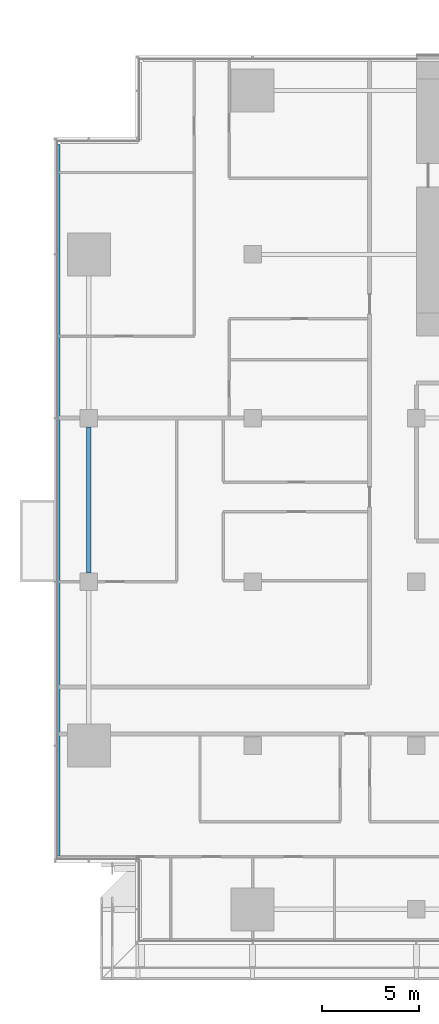
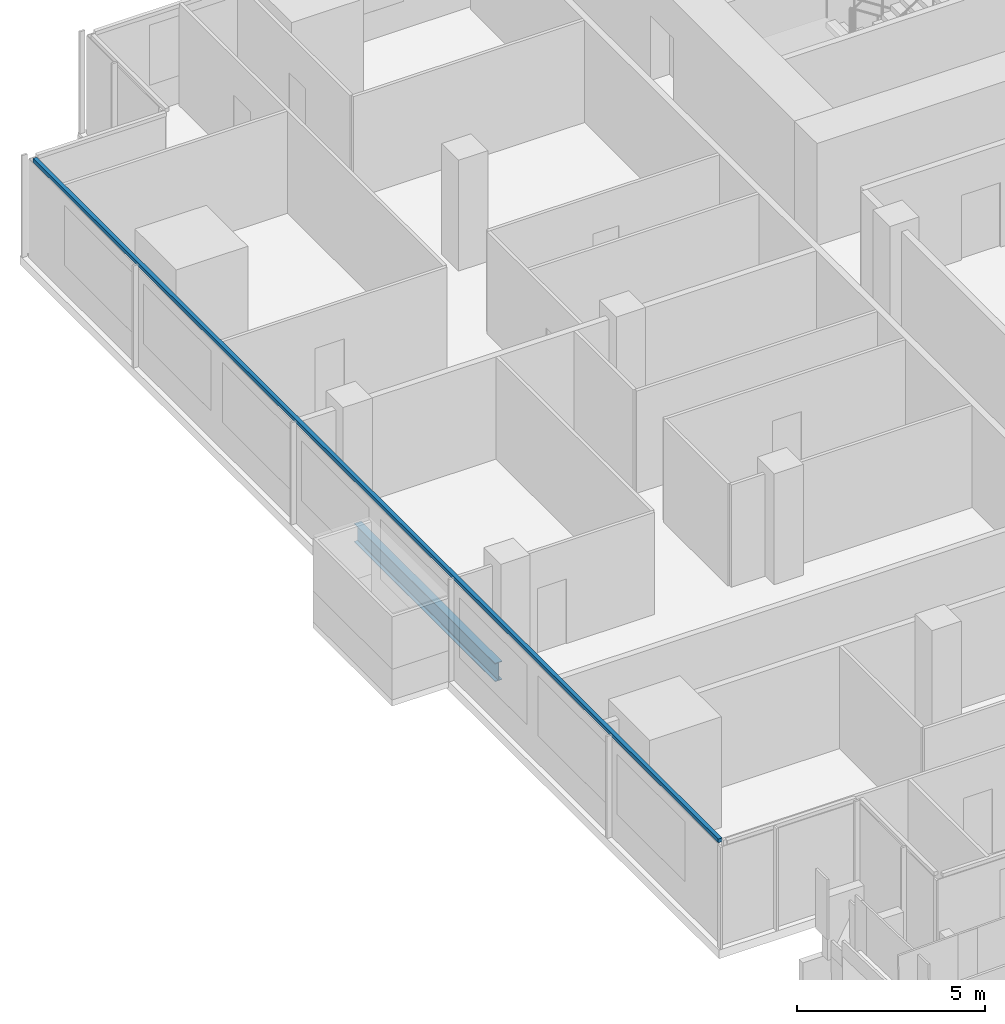
# One storey, part 3 of 29: 1 beam, 1 member, 1 element without a shape of its own.
"""IFC4 building model written with IfcOpenShell, lengths in metres."""

import ifcopenshell
import ifcopenshell.guid

model = None  # the IFC model being written
_history = None  # IfcOwnerHistory: only IFC2X3 demands one
_inside = {}  # id of a spatial element -> (the spatial element, [elements in it])
_under = {}  # id of a project, library or spatial element -> (it, [spatial elements below it])
_declared = {}  # id of a project -> (the project, [libraries it declares])
_typed = {}  # id of a type object -> (the type object, [elements of that type])
_made_of = {}  # id of a material, layer set ... -> (it, [elements and type objects made of it])


def new_model(schema):
    """Start an empty IFC model of exactly this schema.

    Asked for "IFC4X3", IfcOpenShell would pick the latest addendum, in which some entities
    have other attributes; the version numbers below select the first issue.
    IFC2X3 requires an IfcOwnerHistory on every rooted entity: one is made here for all.
    """
    global model, _history
    if schema == "IFC4X3":
        model = ifcopenshell.file(schema_version=(4, 3, 0, 0))
    else:
        model = ifcopenshell.file(schema=schema)
    _inside.clear()
    _under.clear()
    _declared.clear()
    _typed.clear()
    _made_of.clear()
    _history = None
    if model.schema == "IFC2X3":
        org = make("IfcOrganization", Name="unknown")
        user = make(
            "IfcPersonAndOrganization",
            ThePerson=make("IfcPerson", FamilyName="unknown"),
            TheOrganization=org,
        )
        app = make(
            "IfcApplication",
            ApplicationDeveloper=org,
            Version="unknown",
            ApplicationFullName="unknown",
            ApplicationIdentifier="unknown",
        )
        _history = make(
            "IfcOwnerHistory",
            OwningUser=user,
            OwningApplication=app,
            ChangeAction="ADDED",
            CreationDate=0,
        )
    return model


def make(cls, **values):
    """One entity of the class cls with the attributes given. An attribute that is None is left unset."""
    return model.create_entity(
        cls, **{name: value for name, value in values.items() if value is not None}
    )


def rooted(cls, **values):
    """An entity with a GlobalId (a new one), such as an element, a storey or a relation."""
    return make(cls, GlobalId=ifcopenshell.guid.new(), OwnerHistory=_history, **values)


def si_unit(unit_type, name, prefix=None):
    """IfcSIUnit, for example si_unit("LENGTHUNIT", "METRE", prefix="MILLI")."""
    return make("IfcSIUnit", UnitType=unit_type, Prefix=prefix, Name=name)


def assignment(units):
    """IfcUnitAssignment: the units of a project."""
    return None if units is None else make("IfcUnitAssignment", Units=units)


def point(xyz):
    """IfcCartesianPoint."""
    return None if xyz is None else make("IfcCartesianPoint", Coordinates=xyz)


def direction(xyz):
    """IfcDirection."""
    return None if xyz is None else make("IfcDirection", DirectionRatios=xyz)


def frame(location, z_axis=None, x_axis=None):
    """IfcAxis2Placement3D, a coordinate frame: its origin and axes. An axis left out is left unset."""
    return make(
        "IfcAxis2Placement3D",
        Location=point(location),
        Axis=direction(z_axis),
        RefDirection=direction(x_axis),
    )


def frame_2d(location, x_axis=None):
    """IfcAxis2Placement2D, a coordinate frame in the plane: its origin and x axis."""
    return make(
        "IfcAxis2Placement2D", Location=point(location), RefDirection=direction(x_axis)
    )


def origin():
    """The frame at (0, 0, 0) with its axes left unset."""
    return frame((0.0, 0.0, 0.0))


def origin_2d():
    """The frame at (0, 0) in the plane with its x axis left unset."""
    return frame_2d((0.0, 0.0))


def place(relative_to, where):
    """IfcLocalPlacement: puts the frame where relative to a parent placement (None: the world)."""
    return make(
        "IfcLocalPlacement", PlacementRelTo=relative_to, RelativePlacement=where
    )


def context(
    kind, dimensions, precision=None, world=None, true_north=None, identifier=None
):
    """IfcGeometricRepresentationContext, for example the 3D "Model" context."""
    return make(
        "IfcGeometricRepresentationContext",
        ContextIdentifier=identifier,
        ContextType=kind,
        CoordinateSpaceDimension=dimensions,
        Precision=precision,
        WorldCoordinateSystem=world,
        TrueNorth=true_north,
    )


def subcontext(parent, identifier, kind, view, scale=None):
    """IfcGeometricRepresentationSubContext, for example "Body" below "Model"."""
    return make(
        "IfcGeometricRepresentationSubContext",
        ContextIdentifier=identifier,
        ContextType=kind,
        ParentContext=parent,
        TargetScale=scale,
        TargetView=view,
    )


def project(units=None, contexts=None):
    """IfcProject with its units and contexts."""
    return rooted(
        "IfcProject",
        Name="project",
        RepresentationContexts=contexts,
        UnitsInContext=assignment(units),
    )


def spatial(cls, under=None, at=None, **own):
    """A site, building, storey or space (cls), placed at a placement, below another one or the project."""
    s = rooted(cls, ObjectPlacement=at, **own)
    if under is not None:
        _under.setdefault(under.id(), (under, []))[1].append(s)
    return s


def profile(cls, at=None, kind="AREA", **sizes):
    """A parametric profile (cls). Its sizes go by their IFC names, for example OverallWidth=200.0."""
    return make(cls, ProfileType=kind, Position=at, **sizes)


def rectangle(**sizes):
    """IfcRectangleProfileDef."""
    return profile("IfcRectangleProfileDef", **sizes)


def i_section(**sizes):
    """IfcIShapeProfileDef."""
    return profile("IfcIShapeProfileDef", **sizes)


def extrude(swept, where, along, depth):
    """IfcExtrudedAreaSolid: the profile swept, set in the frame where, extruded along a direction by depth."""
    return make(
        "IfcExtrudedAreaSolid",
        SweptArea=swept,
        Position=where,
        ExtrudedDirection=direction(along),
        Depth=depth,
    )


def shape(context_of_items, identifier, shape_type, items):
    """IfcShapeRepresentation: the items that make up one representation, for example the "Body"."""
    return make(
        "IfcShapeRepresentation",
        ContextOfItems=context_of_items,
        RepresentationIdentifier=identifier,
        RepresentationType=shape_type,
        Items=items,
    )


def material(Name=None, Category=None):
    """IfcMaterial."""
    return make("IfcMaterial", Name=Name, Category=Category)


def material_profile(
    of_material, cross_section, Name=None, Category=None, Priority=None
):
    """IfcMaterialProfile: a cross section and its material."""
    return make(
        "IfcMaterialProfile",
        Name=Name,
        Material=of_material,
        Profile=cross_section,
        Priority=Priority,
        Category=Category,
    )


def profile_set(profiles, Name=None, composite=None):
    """IfcMaterialProfileSet."""
    return make(
        "IfcMaterialProfileSet",
        Name=Name,
        MaterialProfiles=profiles,
        CompositeProfile=composite,
    )


def made_of(thing, what):
    """Note that an element or type object is made of a material, layer set ...; save() writes the relation."""
    if what is not None:
        _made_of.setdefault(what.id(), (what, []))[1].append(thing)
    return thing


def type_object(cls, material=None, **own):
    """A type object (cls), such as IfcWallType, which elements share."""
    return made_of(rooted(cls, **own), material)


def element(
    cls,
    number,
    at=None,
    inside=None,
    cuts=None,
    type_object=None,
    material=None,
    context=None,
    identifier="Body",
    shape_type=None,
    held_by="IfcProductDefinitionShape",
    body=None,
    shapes=None,
    **own,
):
    """One element of the class cls, such as IfcWall. Its Tag is "e" and its number.

    at: its placement. inside: the storey or other place that contains it. cuts: it is an
    opening in that element (IfcRelVoidsElement). A single representation is given by context,
    identifier, shape_type and body (its items); several are given by shapes. held_by: the class
    of the entity that holds the representations. save() writes the other relations.
    """
    e = rooted(cls, Tag="e%d" % number, ObjectPlacement=at, **own)
    if body is not None:
        shapes = [shape(context, identifier, shape_type, body)]
    if shapes is not None:
        e.Representation = make(held_by, Representations=shapes)
    if inside is not None:
        _inside.setdefault(inside.id(), (inside, []))[1].append(e)
    if cuts is not None:
        rooted(
            "IfcRelVoidsElement", RelatingBuildingElement=cuts, RelatedOpeningElement=e
        )
    if type_object is not None:
        _typed.setdefault(type_object.id(), (type_object, []))[1].append(e)
    return made_of(e, material)


def aggregate(whole, parts):
    """IfcRelAggregates: a whole, such as a stair, and the parts it consists of."""
    return rooted("IfcRelAggregates", RelatingObject=whole, RelatedObjects=parts)


def save(model, path):
    """Write the relations noted so far, then the file.

    IfcRelAggregates (storeys below a building ...), IfcRelContainedInSpatialStructure (elements
    in a storey), IfcRelDefinesByType, IfcRelAssociatesMaterial and IfcRelDeclares: one each for
    every whole, place, type object, material and project.
    """
    for whole, parts in _under.values():
        aggregate(whole, parts)
    for where, things in _inside.values():
        rooted(
            "IfcRelContainedInSpatialStructure",
            RelatedElements=things,
            RelatingStructure=where,
        )
    for kind, things in _typed.values():
        rooted("IfcRelDefinesByType", RelatedObjects=things, RelatingType=kind)
    for what, things in _made_of.values():
        rooted("IfcRelAssociatesMaterial", RelatedObjects=things, RelatingMaterial=what)
    for by, libraries in _declared.values():
        rooted("IfcRelDeclares", RelatingContext=by, RelatedDefinitions=libraries)
    model.write(path)


model = new_model("IFC4")

# Units and contexts
model_context = context("Model", 3, precision=1e-05, world=origin(), true_north=direction((0.0, 1.0)))
body_context = subcontext(model_context, "Body", "Model", "MODEL_VIEW")
ifc_project = project(units=[si_unit("LENGTHUNIT", "METRE"), si_unit("AREAUNIT", "SQUARE_METRE"), si_unit("VOLUMEUNIT", "CUBIC_METRE"), si_unit("PLANEANGLEUNIT", "RADIAN"), si_unit("MASSUNIT", "GRAM", prefix="KILO")], contexts=[model_context])

# Site, building, storey
site_placement = place(None, origin())
site = spatial("IfcSite", under=ifc_project, at=site_placement, CompositionType="ELEMENT")
building_placement = place(site_placement, origin())
building = spatial("IfcBuilding", under=site, at=building_placement, Name="Saffron Gate Tower", CompositionType="ELEMENT")
storey_placement = place(building_placement, frame((0.0, 0.0, 58.800048828125)))
storey = spatial("IfcBuildingStorey", under=building, at=storey_placement, Name="L13", CompositionType="ELEMENT", Elevation=58.800048828125)

# Beam
ifc_material_1 = material(Name="Structural steel S355", Category="steel")
ifc_material_profile_1 = material_profile(ifc_material_1, i_section(OverallWidth=0.219970703125, OverallDepth=0.60009765625, WebThickness=0.011962890625, FlangeThickness=0.01904296875, FilletRadius=0.02392578125, at=origin_2d()))
ifc_profile_set_1 = profile_set([ifc_material_profile_1], Name="Structural steel S355")
beam_type = type_object("IfcBeamType", Name="B16 IPE 600", PredefinedType="SPANDREL", material=ifc_profile_set_1)
beam_placement = place(storey_placement, frame((49.800048828125, 49.050048828125, -0.580078125), z_axis=(0.0, 1.0, 0.0), x_axis=(-1.0, 0.0, 0.0)))
element("IfcBeam", 1, at=beam_placement, inside=storey, type_object=beam_type, Name="B16 SPANDREL BEAM", PredefinedType="SPANDREL", context=body_context, shape_type="SweptSolid", body=[
    extrude(i_section(OverallWidth=0.219970703125, OverallDepth=0.60009765625, WebThickness=0.011962890625, FlangeThickness=0.01904296875, FilletRadius=0.02392578125, at=origin_2d()), origin(), (0.0, 0.0, 1.0), 7.5),
])

# Curtain wall, member
ifc_material_2 = material(Name="Aluminium, bronze anodised", Category="aluminium")
curtain_wall_type = type_object("IfcCurtainWallType", Name="CWS2 curtain wall side facades", PredefinedType="NOTDEFINED", material=ifc_material_2)
curtain_wall_placement = place(storey_placement, origin())
curtain_wall = element("IfcCurtainWall", 2, at=curtain_wall_placement, inside=storey, type_object=curtain_wall_type, Name="CWS2 run 10", PredefinedType="NOTDEFINED")
ifc_material_profile_2 = material_profile(ifc_material_2, rectangle(XDim=0.1201171875, YDim=0.1201171875, at=origin_2d()))
ifc_profile_set_2 = profile_set([ifc_material_profile_2], Name="Aluminium, bronze anodised")
member_type = type_object("IfcMemberType", Name="CWS2 head transom", PredefinedType="USERDEFINED", material=ifc_profile_set_2)
member_placement = place(storey_placement, frame((48.248046875, 71.031982421875, 3.260009765625), z_axis=(0.0, -1.0, 0.0), x_axis=(1.0, 0.0, 0.0)))
member = element("IfcMember", 3, at=member_placement, type_object=member_type, Name="CWS2 head transom", ObjectType="TRANSOM", PredefinedType="USERDEFINED", context=body_context, shape_type="SweptSolid", body=[
    extrude(rectangle(XDim=0.1201171875, YDim=0.1201171875, at=origin_2d()), origin(), (0.0, 0.0, 1.0), 36.4638671875),
])
aggregate(curtain_wall, [member])

save(model, "model.ifc")
